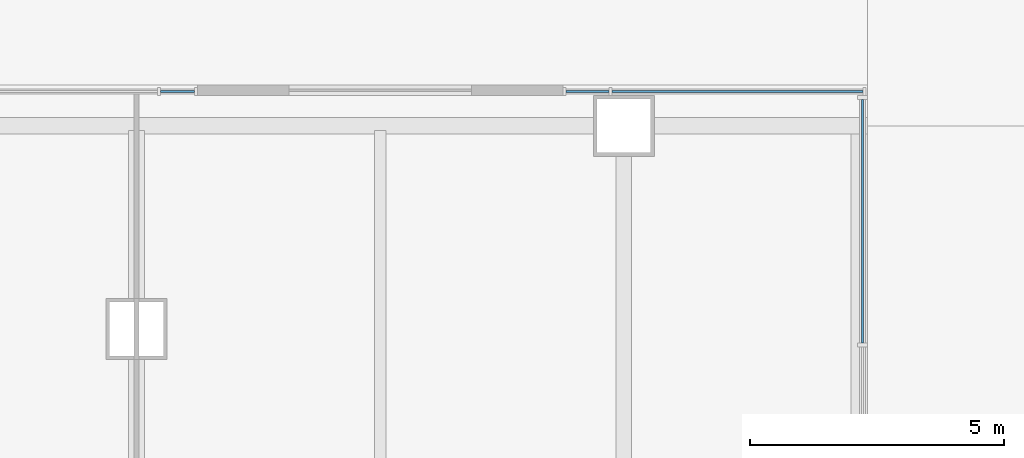
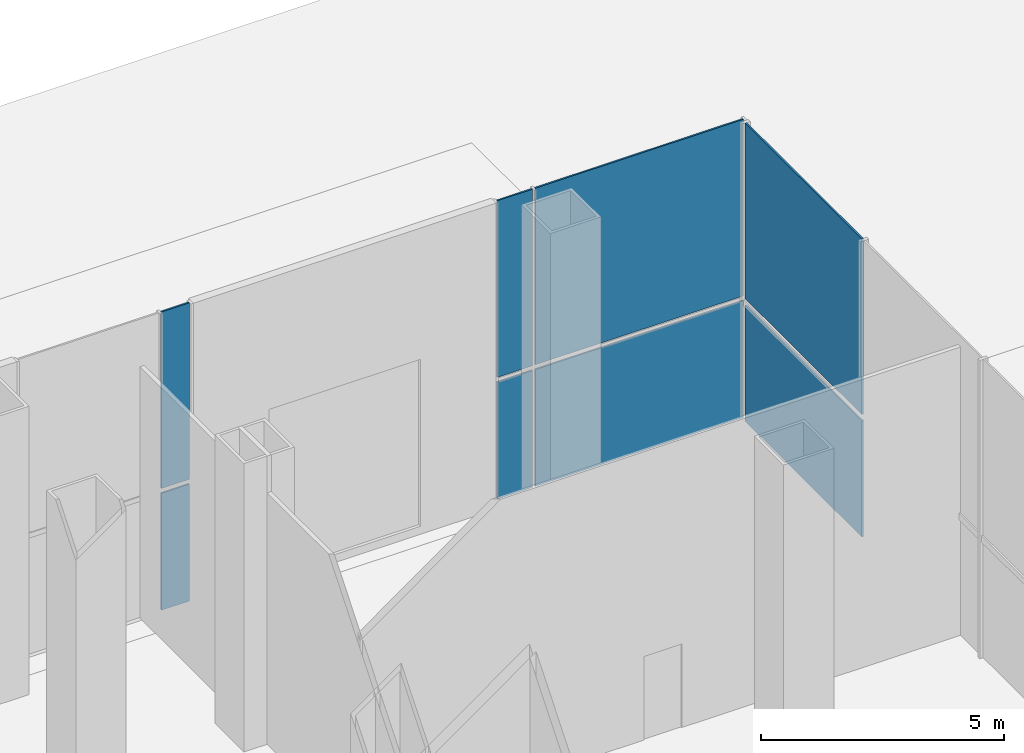
# One storey, part 25 of 36: 8 plates, 3 elements without a shape of their own.
"""IFC4 building model written with IfcOpenShell, lengths in metres."""

import ifcopenshell
import ifcopenshell.guid

model = None  # the IFC model being written
_history = None  # IfcOwnerHistory: only IFC2X3 demands one
_inside = {}  # id of a spatial element -> (the spatial element, [elements in it])
_under = {}  # id of a project, library or spatial element -> (it, [spatial elements below it])
_declared = {}  # id of a project -> (the project, [libraries it declares])
_typed = {}  # id of a type object -> (the type object, [elements of that type])
_made_of = {}  # id of a material, layer set ... -> (it, [elements and type objects made of it])


def new_model(schema):
    """Start an empty IFC model of exactly this schema.

    Asked for "IFC4X3", IfcOpenShell would pick the latest addendum, in which some entities
    have other attributes; the version numbers below select the first issue.
    IFC2X3 requires an IfcOwnerHistory on every rooted entity: one is made here for all.
    """
    global model, _history
    if schema == "IFC4X3":
        model = ifcopenshell.file(schema_version=(4, 3, 0, 0))
    else:
        model = ifcopenshell.file(schema=schema)
    _inside.clear()
    _under.clear()
    _declared.clear()
    _typed.clear()
    _made_of.clear()
    _history = None
    if model.schema == "IFC2X3":
        org = make("IfcOrganization", Name="unknown")
        user = make(
            "IfcPersonAndOrganization",
            ThePerson=make("IfcPerson", FamilyName="unknown"),
            TheOrganization=org,
        )
        app = make(
            "IfcApplication",
            ApplicationDeveloper=org,
            Version="unknown",
            ApplicationFullName="unknown",
            ApplicationIdentifier="unknown",
        )
        _history = make(
            "IfcOwnerHistory",
            OwningUser=user,
            OwningApplication=app,
            ChangeAction="ADDED",
            CreationDate=0,
        )
    return model


def make(cls, **values):
    """One entity of the class cls with the attributes given. An attribute that is None is left unset."""
    return model.create_entity(
        cls, **{name: value for name, value in values.items() if value is not None}
    )


def rooted(cls, **values):
    """An entity with a GlobalId (a new one), such as an element, a storey or a relation."""
    return make(cls, GlobalId=ifcopenshell.guid.new(), OwnerHistory=_history, **values)


def si_unit(unit_type, name, prefix=None):
    """IfcSIUnit, for example si_unit("LENGTHUNIT", "METRE", prefix="MILLI")."""
    return make("IfcSIUnit", UnitType=unit_type, Prefix=prefix, Name=name)


def assignment(units):
    """IfcUnitAssignment: the units of a project."""
    return None if units is None else make("IfcUnitAssignment", Units=units)


def point(xyz):
    """IfcCartesianPoint."""
    return None if xyz is None else make("IfcCartesianPoint", Coordinates=xyz)


def direction(xyz):
    """IfcDirection."""
    return None if xyz is None else make("IfcDirection", DirectionRatios=xyz)


def frame(location, z_axis=None, x_axis=None):
    """IfcAxis2Placement3D, a coordinate frame: its origin and axes. An axis left out is left unset."""
    return make(
        "IfcAxis2Placement3D",
        Location=point(location),
        Axis=direction(z_axis),
        RefDirection=direction(x_axis),
    )


def frame_2d(location, x_axis=None):
    """IfcAxis2Placement2D, a coordinate frame in the plane: its origin and x axis."""
    return make(
        "IfcAxis2Placement2D", Location=point(location), RefDirection=direction(x_axis)
    )


def origin():
    """The frame at (0, 0, 0) with its axes left unset."""
    return frame((0.0, 0.0, 0.0))


def origin_2d():
    """The frame at (0, 0) in the plane with its x axis left unset."""
    return frame_2d((0.0, 0.0))


def place(relative_to, where):
    """IfcLocalPlacement: puts the frame where relative to a parent placement (None: the world)."""
    return make(
        "IfcLocalPlacement", PlacementRelTo=relative_to, RelativePlacement=where
    )


def context(
    kind, dimensions, precision=None, world=None, true_north=None, identifier=None
):
    """IfcGeometricRepresentationContext, for example the 3D "Model" context."""
    return make(
        "IfcGeometricRepresentationContext",
        ContextIdentifier=identifier,
        ContextType=kind,
        CoordinateSpaceDimension=dimensions,
        Precision=precision,
        WorldCoordinateSystem=world,
        TrueNorth=true_north,
    )


def subcontext(parent, identifier, kind, view, scale=None):
    """IfcGeometricRepresentationSubContext, for example "Body" below "Model"."""
    return make(
        "IfcGeometricRepresentationSubContext",
        ContextIdentifier=identifier,
        ContextType=kind,
        ParentContext=parent,
        TargetScale=scale,
        TargetView=view,
    )


def project(units=None, contexts=None):
    """IfcProject with its units and contexts."""
    return rooted(
        "IfcProject",
        Name="project",
        RepresentationContexts=contexts,
        UnitsInContext=assignment(units),
    )


def spatial(cls, under=None, at=None, **own):
    """A site, building, storey or space (cls), placed at a placement, below another one or the project."""
    s = rooted(cls, ObjectPlacement=at, **own)
    if under is not None:
        _under.setdefault(under.id(), (under, []))[1].append(s)
    return s


def profile(cls, at=None, kind="AREA", **sizes):
    """A parametric profile (cls). Its sizes go by their IFC names, for example OverallWidth=200.0."""
    return make(cls, ProfileType=kind, Position=at, **sizes)


def rectangle(**sizes):
    """IfcRectangleProfileDef."""
    return profile("IfcRectangleProfileDef", **sizes)


def extrude(swept, where, along, depth):
    """IfcExtrudedAreaSolid: the profile swept, set in the frame where, extruded along a direction by depth."""
    return make(
        "IfcExtrudedAreaSolid",
        SweptArea=swept,
        Position=where,
        ExtrudedDirection=direction(along),
        Depth=depth,
    )


def shape(context_of_items, identifier, shape_type, items):
    """IfcShapeRepresentation: the items that make up one representation, for example the "Body"."""
    return make(
        "IfcShapeRepresentation",
        ContextOfItems=context_of_items,
        RepresentationIdentifier=identifier,
        RepresentationType=shape_type,
        Items=items,
    )


def material(Name=None, Category=None):
    """IfcMaterial."""
    return make("IfcMaterial", Name=Name, Category=Category)


def layer(
    of_material, thickness, ventilated=None, Name=None, Category=None, Priority=None
):
    """IfcMaterialLayer: one layer of a wall or slab, of a material (None: an air gap)."""
    return make(
        "IfcMaterialLayer",
        Material=of_material,
        LayerThickness=thickness,
        IsVentilated=ventilated,
        Name=Name,
        Category=Category,
        Priority=Priority,
    )


def layer_set(layers, Name=None):
    """IfcMaterialLayerSet."""
    return make("IfcMaterialLayerSet", MaterialLayers=layers, LayerSetName=Name)


def made_of(thing, what):
    """Note that an element or type object is made of a material, layer set ...; save() writes the relation."""
    if what is not None:
        _made_of.setdefault(what.id(), (what, []))[1].append(thing)
    return thing


def type_object(cls, material=None, **own):
    """A type object (cls), such as IfcWallType, which elements share."""
    return made_of(rooted(cls, **own), material)


def element(
    cls,
    number,
    at=None,
    inside=None,
    cuts=None,
    type_object=None,
    material=None,
    context=None,
    identifier="Body",
    shape_type=None,
    held_by="IfcProductDefinitionShape",
    body=None,
    shapes=None,
    **own,
):
    """One element of the class cls, such as IfcWall. Its Tag is "e" and its number.

    at: its placement. inside: the storey or other place that contains it. cuts: it is an
    opening in that element (IfcRelVoidsElement). A single representation is given by context,
    identifier, shape_type and body (its items); several are given by shapes. held_by: the class
    of the entity that holds the representations. save() writes the other relations.
    """
    e = rooted(cls, Tag="e%d" % number, ObjectPlacement=at, **own)
    if body is not None:
        shapes = [shape(context, identifier, shape_type, body)]
    if shapes is not None:
        e.Representation = make(held_by, Representations=shapes)
    if inside is not None:
        _inside.setdefault(inside.id(), (inside, []))[1].append(e)
    if cuts is not None:
        rooted(
            "IfcRelVoidsElement", RelatingBuildingElement=cuts, RelatedOpeningElement=e
        )
    if type_object is not None:
        _typed.setdefault(type_object.id(), (type_object, []))[1].append(e)
    return made_of(e, material)


def aggregate(whole, parts):
    """IfcRelAggregates: a whole, such as a stair, and the parts it consists of."""
    return rooted("IfcRelAggregates", RelatingObject=whole, RelatedObjects=parts)


def save(model, path):
    """Write the relations noted so far, then the file.

    IfcRelAggregates (storeys below a building ...), IfcRelContainedInSpatialStructure (elements
    in a storey), IfcRelDefinesByType, IfcRelAssociatesMaterial and IfcRelDeclares: one each for
    every whole, place, type object, material and project.
    """
    for whole, parts in _under.values():
        aggregate(whole, parts)
    for where, things in _inside.values():
        rooted(
            "IfcRelContainedInSpatialStructure",
            RelatedElements=things,
            RelatingStructure=where,
        )
    for kind, things in _typed.values():
        rooted("IfcRelDefinesByType", RelatedObjects=things, RelatingType=kind)
    for what, things in _made_of.values():
        rooted("IfcRelAssociatesMaterial", RelatedObjects=things, RelatingMaterial=what)
    for by, libraries in _declared.values():
        rooted("IfcRelDeclares", RelatingContext=by, RelatedDefinitions=libraries)
    model.write(path)


model = new_model("IFC4")

# Units and contexts
model_context = context("Model", 3, precision=1e-05, world=origin(), true_north=direction((0.0, 1.0)))
body_context = subcontext(model_context, "Body", "Model", "MODEL_VIEW")
ifc_project = project(units=[si_unit("LENGTHUNIT", "METRE"), si_unit("AREAUNIT", "SQUARE_METRE"), si_unit("VOLUMEUNIT", "CUBIC_METRE"), si_unit("PLANEANGLEUNIT", "RADIAN"), si_unit("MASSUNIT", "GRAM", prefix="KILO")], contexts=[model_context])

# Site, building, storey
site_placement = place(None, origin())
site = spatial("IfcSite", under=ifc_project, at=site_placement, CompositionType="ELEMENT")
building_placement = place(site_placement, origin())
building = spatial("IfcBuilding", under=site, at=building_placement, Name="Cobrizo Arcos Hotel Tower", CompositionType="ELEMENT")
storey_placement = place(building_placement, origin())
storey = spatial("IfcBuildingStorey", under=building, at=storey_placement, Name="L00", CompositionType="ELEMENT", Elevation=0.0)

# Curtain wall, plates
ifc_material_1 = material(Name="Aluminium 6063-T6 anodised bronze", Category="aluminium")
curtain_wall_type_1 = type_object("IfcCurtainWallType", Name="CW-A guest facade", PredefinedType="NOTDEFINED", material=ifc_material_1)
curtain_wall_1_placement = place(storey_placement, origin())
curtain_wall_1 = element("IfcCurtainWall", 1, at=curtain_wall_1_placement, inside=storey, type_object=curtain_wall_type_1, Name="CW-A L00 N face", PredefinedType="NOTDEFINED")
ifc_material_2 = material(Name="Glass clear laminated low-e", Category="glass")
ifc_layer_1 = layer(ifc_material_2, 0.0400390625)
ifc_layer_set_1 = layer_set([ifc_layer_1], Name="CW-A glass panel")
plate_type_1 = type_object("IfcPlateType", Name="CW-A glass panel", PredefinedType="CURTAIN_PANEL", material=ifc_layer_set_1)
plate_1_placement = place(storey_placement, frame((35.839111328125, 24.675048828125, 0.0), z_axis=(0.0, 0.0, 1.0), x_axis=(-1.0, 0.0, 0.0)))
plate_1 = element("IfcPlate", 2, at=plate_1_placement, type_object=plate_type_1, Name="CW-A glass panel 11", PredefinedType="CURTAIN_PANEL", context=body_context, shape_type="SweptSolid", body=[
    extrude(rectangle(XDim=4.95166015625, YDim=0.0400390625, at=origin_2d()), origin(), (0.0, 0.0, 1.0), 2.93994140625),
])
plate_2_placement = place(storey_placement, frame((35.839111328125, 24.675048828125, 3.06005859375), z_axis=(0.0, 0.0, 1.0), x_axis=(-1.0, 0.0, 0.0)))
plate_2 = element("IfcPlate", 3, at=plate_2_placement, type_object=plate_type_1, Name="CW-A glass panel 11", PredefinedType="CURTAIN_PANEL", context=body_context, shape_type="SweptSolid", body=[
    extrude(rectangle(XDim=4.95166015625, YDim=0.0400390625, at=origin_2d()), origin(), (0.0, 0.0, 1.0), 4.43994140625),
])
plate_3_placement = place(storey_placement, frame((32.881591796875, 24.675048828125, 0.0), z_axis=(0.0, 0.0, 1.0), x_axis=(-1.0, 0.0, 0.0)))
plate_3 = element("IfcPlate", 4, at=plate_3_placement, type_object=plate_type_1, Name="CW-A glass panel 12", PredefinedType="CURTAIN_PANEL", context=body_context, shape_type="SweptSolid", body=[
    extrude(rectangle(XDim=0.84326171875, YDim=0.0400390625, at=origin_2d()), origin(), (0.0, 0.0, 1.0), 2.93994140625),
])
plate_4_placement = place(storey_placement, frame((32.881591796875, 24.675048828125, 3.06005859375), z_axis=(0.0, 0.0, 1.0), x_axis=(-1.0, 0.0, 0.0)))
plate_4 = element("IfcPlate", 5, at=plate_4_placement, type_object=plate_type_1, Name="CW-A glass panel 12", PredefinedType="CURTAIN_PANEL", context=body_context, shape_type="SweptSolid", body=[
    extrude(rectangle(XDim=0.84326171875, YDim=0.0400390625, at=origin_2d()), origin(), (0.0, 0.0, 1.0), 4.43994140625),
])
aggregate(curtain_wall_1, [plate_1, plate_2, plate_3, plate_4])

curtain_wall_2_placement = place(storey_placement, origin())
curtain_wall_2 = element("IfcCurtainWall", 6, at=curtain_wall_2_placement, inside=storey, type_object=curtain_wall_type_1, Name="CW-A L00 N face", PredefinedType="NOTDEFINED")
plate_5_placement = place(storey_placement, frame((24.80712890625, 24.675048828125, 0.0), z_axis=(0.0, 0.0, 1.0), x_axis=(-1.0, 0.0, 0.0)))
plate_5 = element("IfcPlate", 7, at=plate_5_placement, type_object=plate_type_1, Name="CW-A glass panel 13", PredefinedType="CURTAIN_PANEL", context=body_context, shape_type="SweptSolid", body=[
    extrude(rectangle(XDim=0.66552734375, YDim=0.0400390625, at=origin_2d()), origin(), (0.0, 0.0, 1.0), 2.93994140625),
])
plate_6_placement = place(storey_placement, frame((24.80712890625, 24.675048828125, 3.06005859375), z_axis=(0.0, 0.0, 1.0), x_axis=(-1.0, 0.0, 0.0)))
plate_6 = element("IfcPlate", 8, at=plate_6_placement, type_object=plate_type_1, Name="CW-A glass panel 13", PredefinedType="CURTAIN_PANEL", context=body_context, shape_type="SweptSolid", body=[
    extrude(rectangle(XDim=0.66552734375, YDim=0.0400390625, at=origin_2d()), origin(), (0.0, 0.0, 1.0), 4.43994140625),
])
aggregate(curtain_wall_2, [plate_5, plate_6])

curtain_wall_type_2 = type_object("IfcCurtainWallType", Name="CW-B podium glazing", PredefinedType="NOTDEFINED", material=ifc_material_1)
curtain_wall_3_placement = place(storey_placement, origin())
curtain_wall_3 = element("IfcCurtainWall", 9, at=curtain_wall_3_placement, inside=storey, type_object=curtain_wall_type_2, Name="CW-B L00 E face", PredefinedType="NOTDEFINED")
ifc_layer_2 = layer(ifc_material_2, 0.0400390625)
ifc_layer_set_2 = layer_set([ifc_layer_2], Name="CW-B glass panel")
plate_type_2 = type_object("IfcPlateType", Name="CW-B glass panel", PredefinedType="CURTAIN_PANEL", material=ifc_layer_set_2)
plate_7_placement = place(storey_placement, frame((38.300048828125, 22.1201171875, 0.0), z_axis=(0.0, 0.0, 1.0), x_axis=(0.0, 1.0, 0.0)))
plate_7 = element("IfcPlate", 10, at=plate_7_placement, type_object=plate_type_2, Name="CW-B glass panel 10", PredefinedType="CURTAIN_PANEL", context=body_context, shape_type="SweptSolid", body=[
    extrude(rectangle(XDim=4.800048828125, YDim=0.0400390625, at=origin_2d()), origin(), (0.0, 0.0, 1.0), 2.919921875),
])
plate_8_placement = place(storey_placement, frame((38.300048828125, 22.1201171875, 3.080078125), z_axis=(0.0, 0.0, 1.0), x_axis=(0.0, 1.0, 0.0)))
plate_8 = element("IfcPlate", 11, at=plate_8_placement, type_object=plate_type_2, Name="CW-B glass panel 10", PredefinedType="CURTAIN_PANEL", context=body_context, shape_type="SweptSolid", body=[
    extrude(rectangle(XDim=4.800048828125, YDim=0.0400390625, at=origin_2d()), origin(), (0.0, 0.0, 1.0), 4.419921875),
])
aggregate(curtain_wall_3, [plate_7, plate_8])

save(model, "model.ifc")
